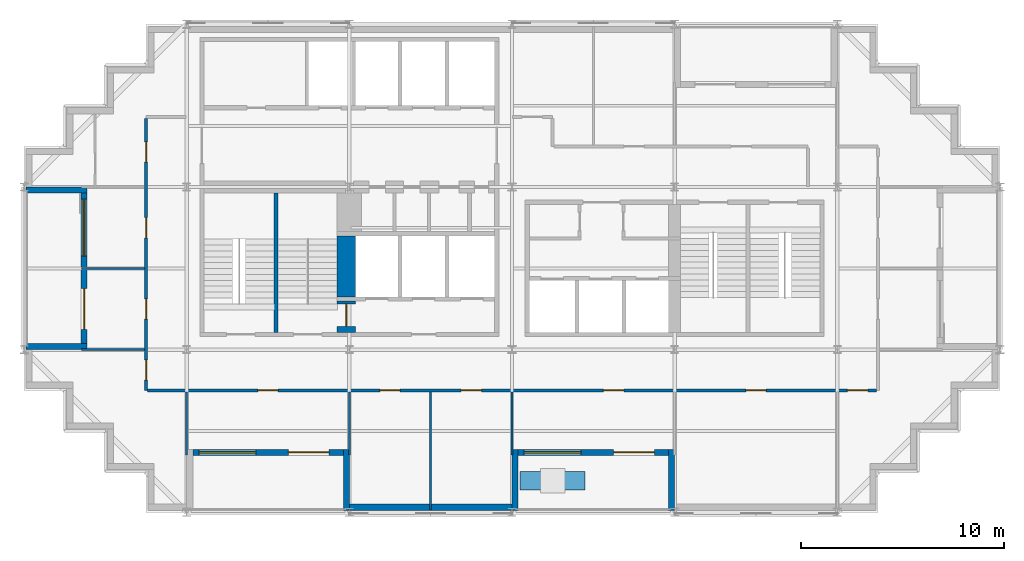
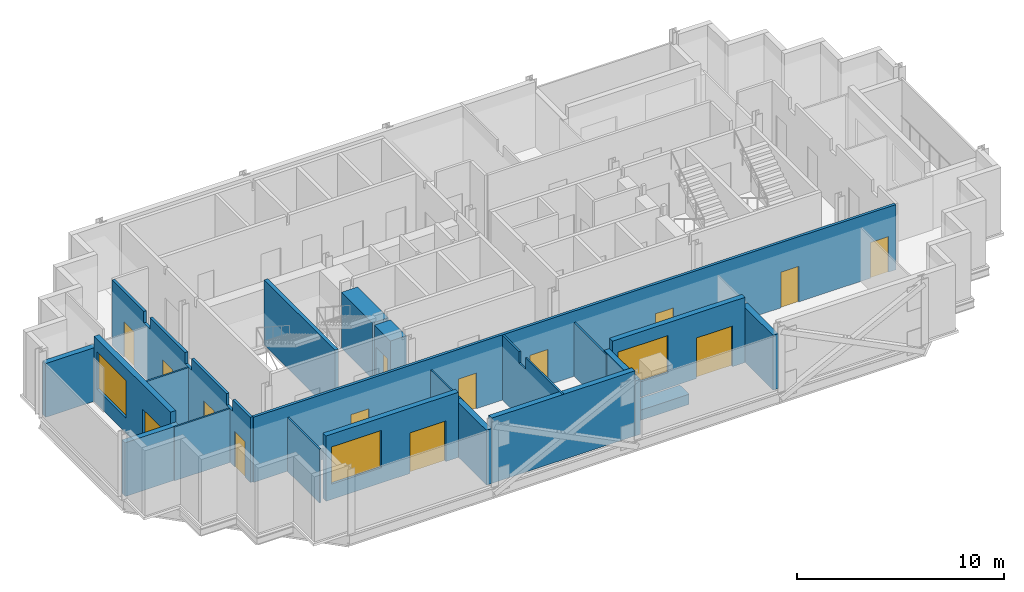
# One storey, part 4 of 10: 21 walls, 14 doors, 3 windows, 17 openings.
"""IFC4 building model written with IfcOpenShell, lengths in metres."""

import ifcopenshell
import ifcopenshell.guid

model = None  # the IFC model being written
_history = None  # IfcOwnerHistory: only IFC2X3 demands one
_inside = {}  # id of a spatial element -> (the spatial element, [elements in it])
_under = {}  # id of a project, library or spatial element -> (it, [spatial elements below it])
_declared = {}  # id of a project -> (the project, [libraries it declares])
_typed = {}  # id of a type object -> (the type object, [elements of that type])
_made_of = {}  # id of a material, layer set ... -> (it, [elements and type objects made of it])


def new_model(schema):
    """Start an empty IFC model of exactly this schema.

    Asked for "IFC4X3", IfcOpenShell would pick the latest addendum, in which some entities
    have other attributes; the version numbers below select the first issue.
    IFC2X3 requires an IfcOwnerHistory on every rooted entity: one is made here for all.
    """
    global model, _history
    if schema == "IFC4X3":
        model = ifcopenshell.file(schema_version=(4, 3, 0, 0))
    else:
        model = ifcopenshell.file(schema=schema)
    _inside.clear()
    _under.clear()
    _declared.clear()
    _typed.clear()
    _made_of.clear()
    _history = None
    if model.schema == "IFC2X3":
        org = make("IfcOrganization", Name="unknown")
        user = make(
            "IfcPersonAndOrganization",
            ThePerson=make("IfcPerson", FamilyName="unknown"),
            TheOrganization=org,
        )
        app = make(
            "IfcApplication",
            ApplicationDeveloper=org,
            Version="unknown",
            ApplicationFullName="unknown",
            ApplicationIdentifier="unknown",
        )
        _history = make(
            "IfcOwnerHistory",
            OwningUser=user,
            OwningApplication=app,
            ChangeAction="ADDED",
            CreationDate=0,
        )
    return model


def make(cls, **values):
    """One entity of the class cls with the attributes given. An attribute that is None is left unset."""
    return model.create_entity(
        cls, **{name: value for name, value in values.items() if value is not None}
    )


def rooted(cls, **values):
    """An entity with a GlobalId (a new one), such as an element, a storey or a relation."""
    return make(cls, GlobalId=ifcopenshell.guid.new(), OwnerHistory=_history, **values)


def si_unit(unit_type, name, prefix=None):
    """IfcSIUnit, for example si_unit("LENGTHUNIT", "METRE", prefix="MILLI")."""
    return make("IfcSIUnit", UnitType=unit_type, Prefix=prefix, Name=name)


def assignment(units):
    """IfcUnitAssignment: the units of a project."""
    return None if units is None else make("IfcUnitAssignment", Units=units)


def point(xyz):
    """IfcCartesianPoint."""
    return None if xyz is None else make("IfcCartesianPoint", Coordinates=xyz)


def direction(xyz):
    """IfcDirection."""
    return None if xyz is None else make("IfcDirection", DirectionRatios=xyz)


def frame(location, z_axis=None, x_axis=None):
    """IfcAxis2Placement3D, a coordinate frame: its origin and axes. An axis left out is left unset."""
    return make(
        "IfcAxis2Placement3D",
        Location=point(location),
        Axis=direction(z_axis),
        RefDirection=direction(x_axis),
    )


def frame_2d(location, x_axis=None):
    """IfcAxis2Placement2D, a coordinate frame in the plane: its origin and x axis."""
    return make(
        "IfcAxis2Placement2D", Location=point(location), RefDirection=direction(x_axis)
    )


def origin():
    """The frame at (0, 0, 0) with its axes left unset."""
    return frame((0.0, 0.0, 0.0))


def place(relative_to, where):
    """IfcLocalPlacement: puts the frame where relative to a parent placement (None: the world)."""
    return make(
        "IfcLocalPlacement", PlacementRelTo=relative_to, RelativePlacement=where
    )


def context(
    kind, dimensions, precision=None, world=None, true_north=None, identifier=None
):
    """IfcGeometricRepresentationContext, for example the 3D "Model" context."""
    return make(
        "IfcGeometricRepresentationContext",
        ContextIdentifier=identifier,
        ContextType=kind,
        CoordinateSpaceDimension=dimensions,
        Precision=precision,
        WorldCoordinateSystem=world,
        TrueNorth=true_north,
    )


def subcontext(parent, identifier, kind, view, scale=None):
    """IfcGeometricRepresentationSubContext, for example "Body" below "Model"."""
    return make(
        "IfcGeometricRepresentationSubContext",
        ContextIdentifier=identifier,
        ContextType=kind,
        ParentContext=parent,
        TargetScale=scale,
        TargetView=view,
    )


def project(units=None, contexts=None):
    """IfcProject with its units and contexts."""
    return rooted(
        "IfcProject",
        Name="project",
        RepresentationContexts=contexts,
        UnitsInContext=assignment(units),
    )


def spatial(cls, under=None, at=None, **own):
    """A site, building, storey or space (cls), placed at a placement, below another one or the project."""
    s = rooted(cls, ObjectPlacement=at, **own)
    if under is not None:
        _under.setdefault(under.id(), (under, []))[1].append(s)
    return s


def polyline(points):
    """IfcPolyline through the points."""
    return make("IfcPolyline", Points=[point(p) for p in points])


def profile(cls, at=None, kind="AREA", **sizes):
    """A parametric profile (cls). Its sizes go by their IFC names, for example OverallWidth=200.0."""
    return make(cls, ProfileType=kind, Position=at, **sizes)


def rectangle(**sizes):
    """IfcRectangleProfileDef."""
    return profile("IfcRectangleProfileDef", **sizes)


def outline(outer, holes=None, kind="AREA"):
    """IfcArbitraryClosedProfileDef: a profile drawn as a closed curve; with holes, ...WithVoids."""
    if holes is None:
        return make("IfcArbitraryClosedProfileDef", ProfileType=kind, OuterCurve=outer)
    return make(
        "IfcArbitraryProfileDefWithVoids",
        ProfileType=kind,
        OuterCurve=outer,
        InnerCurves=holes,
    )


def extrude(swept, where, along, depth):
    """IfcExtrudedAreaSolid: the profile swept, set in the frame where, extruded along a direction by depth."""
    return make(
        "IfcExtrudedAreaSolid",
        SweptArea=swept,
        Position=where,
        ExtrudedDirection=direction(along),
        Depth=depth,
    )


def shape(context_of_items, identifier, shape_type, items):
    """IfcShapeRepresentation: the items that make up one representation, for example the "Body"."""
    return make(
        "IfcShapeRepresentation",
        ContextOfItems=context_of_items,
        RepresentationIdentifier=identifier,
        RepresentationType=shape_type,
        Items=items,
    )


def material(Name=None, Category=None):
    """IfcMaterial."""
    return make("IfcMaterial", Name=Name, Category=Category)


def layer(
    of_material, thickness, ventilated=None, Name=None, Category=None, Priority=None
):
    """IfcMaterialLayer: one layer of a wall or slab, of a material (None: an air gap)."""
    return make(
        "IfcMaterialLayer",
        Material=of_material,
        LayerThickness=thickness,
        IsVentilated=ventilated,
        Name=Name,
        Category=Category,
        Priority=Priority,
    )


def layer_set(layers, Name=None):
    """IfcMaterialLayerSet."""
    return make("IfcMaterialLayerSet", MaterialLayers=layers, LayerSetName=Name)


def made_of(thing, what):
    """Note that an element or type object is made of a material, layer set ...; save() writes the relation."""
    if what is not None:
        _made_of.setdefault(what.id(), (what, []))[1].append(thing)
    return thing


def type_object(cls, material=None, **own):
    """A type object (cls), such as IfcWallType, which elements share."""
    return made_of(rooted(cls, **own), material)


def element(
    cls,
    number,
    at=None,
    inside=None,
    cuts=None,
    type_object=None,
    material=None,
    context=None,
    identifier="Body",
    shape_type=None,
    held_by="IfcProductDefinitionShape",
    body=None,
    shapes=None,
    **own,
):
    """One element of the class cls, such as IfcWall. Its Tag is "e" and its number.

    at: its placement. inside: the storey or other place that contains it. cuts: it is an
    opening in that element (IfcRelVoidsElement). A single representation is given by context,
    identifier, shape_type and body (its items); several are given by shapes. held_by: the class
    of the entity that holds the representations. save() writes the other relations.
    """
    e = rooted(cls, Tag="e%d" % number, ObjectPlacement=at, **own)
    if body is not None:
        shapes = [shape(context, identifier, shape_type, body)]
    if shapes is not None:
        e.Representation = make(held_by, Representations=shapes)
    if inside is not None:
        _inside.setdefault(inside.id(), (inside, []))[1].append(e)
    if cuts is not None:
        rooted(
            "IfcRelVoidsElement", RelatingBuildingElement=cuts, RelatedOpeningElement=e
        )
    if type_object is not None:
        _typed.setdefault(type_object.id(), (type_object, []))[1].append(e)
    return made_of(e, material)


def fill(opening, filler):
    """IfcRelFillsElement: the door or window that sits in an opening."""
    return rooted(
        "IfcRelFillsElement",
        RelatingOpeningElement=opening,
        RelatedBuildingElement=filler,
    )


def aggregate(whole, parts):
    """IfcRelAggregates: a whole, such as a stair, and the parts it consists of."""
    return rooted("IfcRelAggregates", RelatingObject=whole, RelatedObjects=parts)


def save(model, path):
    """Write the relations noted so far, then the file.

    IfcRelAggregates (storeys below a building ...), IfcRelContainedInSpatialStructure (elements
    in a storey), IfcRelDefinesByType, IfcRelAssociatesMaterial and IfcRelDeclares: one each for
    every whole, place, type object, material and project.
    """
    for whole, parts in _under.values():
        aggregate(whole, parts)
    for where, things in _inside.values():
        rooted(
            "IfcRelContainedInSpatialStructure",
            RelatedElements=things,
            RelatingStructure=where,
        )
    for kind, things in _typed.values():
        rooted("IfcRelDefinesByType", RelatedObjects=things, RelatingType=kind)
    for what, things in _made_of.values():
        rooted("IfcRelAssociatesMaterial", RelatedObjects=things, RelatingMaterial=what)
    for by, libraries in _declared.values():
        rooted("IfcRelDeclares", RelatingContext=by, RelatedDefinitions=libraries)
    model.write(path)


model = new_model("IFC4")

# Units and contexts
model_context = context("Model", 3, precision=1e-05, world=origin(), true_north=direction((0.0, 1.0)))
body_context = subcontext(model_context, "Body", "Model", "MODEL_VIEW")
ifc_project = project(units=[si_unit("LENGTHUNIT", "METRE"), si_unit("AREAUNIT", "SQUARE_METRE"), si_unit("VOLUMEUNIT", "CUBIC_METRE"), si_unit("PLANEANGLEUNIT", "RADIAN"), si_unit("MASSUNIT", "GRAM", prefix="KILO")], contexts=[model_context])

# Site, building, storey
site_placement = place(None, origin())
site = spatial("IfcSite", under=ifc_project, at=site_placement, CompositionType="ELEMENT")
building_placement = place(site_placement, origin())
building = spatial("IfcBuilding", under=site, at=building_placement, Name="Immortelle Media Tower", CompositionType="ELEMENT")
storey_placement = place(building_placement, frame((0.0, 0.0, 221.0)))
storey = spatial("IfcBuildingStorey", under=building, at=storey_placement, Name="L47", CompositionType="ELEMENT", Elevation=221.0)

# Wall, openings, doors
ifc_material_1 = material(Name="Fire-rated gypsum board", Category="gypsum")
ifc_layer_1 = layer(ifc_material_1, 0.012451171875)
ifc_material_2 = material(Name="Steel ASTM A653 SS Gr 50 stud frame with mineral wool", Category="steel")
ifc_layer_2 = layer(ifc_material_2, 0.125)
ifc_layer_3 = layer(ifc_material_1, 0.012451171875)
ifc_layer_set_1 = layer_set([ifc_layer_1, ifc_layer_2, ifc_layer_3], Name="Steel ASTM A653 SS Gr 50 stud frame with mineral wool")
wall_type_1 = type_object("IfcWallType", Name="Corridor wall 150", PredefinedType="PARTITIONING", material=ifc_layer_set_1)
wall_1_placement = place(storey_placement, frame((6.074951171875, 6.0, 0.0), z_axis=(0.0, 0.0, 1.0), x_axis=(1.0, 0.0, 0.0)))
wall_1 = element("IfcWall", 1, at=wall_1_placement, inside=storey, type_object=wall_type_1, Name="Partition L47-007", PredefinedType="PARTITIONING", context=body_context, shape_type="SweptSolid", body=[
    extrude(rectangle(XDim=35.85009765625, YDim=0.14990234375, at=frame_2d((17.925048828125, 0.0))), origin(), (0.0, 0.0, 1.0), 3.85009765625),
])
opening_1_placement = place(wall_1_placement, frame((12.425048828125, 0.0, 0.0), z_axis=(0.0, 0.0, 1.0), x_axis=(-1.0, 0.0, 0.0)))
opening_1 = element("IfcOpeningElement", 2, at=opening_1_placement, cuts=wall_1, Name="Opening O4-F001", PredefinedType="OPENING", context=body_context, shape_type="SweptSolid", body=[
    extrude(rectangle(XDim=1.0, YDim=2.10009765625, at=frame_2d((0.5, 1.050048828125))), frame((0.0, 0.0849609375, 0.0), z_axis=(0.0, -1.0, 0.0), x_axis=(1.0, 0.0, 0.0)), (0.0, 0.0, 1.0), 0.169921875),
])
opening_2_placement = place(wall_1_placement, frame((16.425048828125, 0.0, 0.0), z_axis=(0.0, 0.0, 1.0), x_axis=(-1.0, 0.0, 0.0)))
opening_2 = element("IfcOpeningElement", 3, at=opening_2_placement, cuts=wall_1, Name="Opening O4-F002", PredefinedType="OPENING", context=body_context, shape_type="SweptSolid", body=[
    extrude(rectangle(XDim=1.0, YDim=2.10009765625, at=frame_2d((0.5, 1.050048828125))), frame((0.0, 0.0849609375, 0.0), z_axis=(0.0, -1.0, 0.0), x_axis=(1.0, 0.0, 0.0)), (0.0, 0.0, 1.0), 0.169921875),
])
opening_3_placement = place(wall_1_placement, frame((30.425048828125, 0.0, 0.0), z_axis=(0.0, 0.0, 1.0), x_axis=(-1.0, 0.0, 0.0)))
opening_3 = element("IfcOpeningElement", 4, at=opening_3_placement, cuts=wall_1, Name="Opening O4-F003", PredefinedType="OPENING", context=body_context, shape_type="SweptSolid", body=[
    extrude(rectangle(XDim=1.0, YDim=2.10009765625, at=frame_2d((0.5, 1.050048828125))), frame((0.0, 0.0849609375, 0.0), z_axis=(0.0, -1.0, 0.0), x_axis=(1.0, 0.0, 0.0)), (0.0, 0.0, 1.0), 0.169921875),
])
opening_4_placement = place(wall_1_placement, frame((6.425048828125, 0.0, 0.0), z_axis=(0.0, 0.0, 1.0), x_axis=(-1.0, 0.0, 0.0)))
opening_4 = element("IfcOpeningElement", 5, at=opening_4_placement, cuts=wall_1, Name="Opening O4-F004", PredefinedType="OPENING", context=body_context, shape_type="SweptSolid", body=[
    extrude(rectangle(XDim=1.0, YDim=2.10009765625, at=frame_2d((0.5, 1.050048828125))), frame((0.0, 0.0849609375, 0.0), z_axis=(0.0, -1.0, 0.0), x_axis=(1.0, 0.0, 0.0)), (0.0, 0.0, 1.0), 0.169921875),
])
opening_5_placement = place(wall_1_placement, frame((23.425048828125, 0.0, 0.0), z_axis=(0.0, 0.0, 1.0), x_axis=(-1.0, 0.0, 0.0)))
opening_5 = element("IfcOpeningElement", 6, at=opening_5_placement, cuts=wall_1, Name="Opening O4-F005", PredefinedType="OPENING", context=body_context, shape_type="SweptSolid", body=[
    extrude(rectangle(XDim=1.0, YDim=2.10009765625, at=frame_2d((0.5, 1.050048828125))), frame((0.0, 0.0849609375, 0.0), z_axis=(0.0, -1.0, 0.0), x_axis=(1.0, 0.0, 0.0)), (0.0, 0.0, 1.0), 0.169921875),
])
opening_6_placement = place(wall_1_placement, frame((35.425048828125, 0.0, 0.0), z_axis=(0.0, 0.0, 1.0), x_axis=(-1.0, 0.0, 0.0)))
opening_6 = element("IfcOpeningElement", 7, at=opening_6_placement, cuts=wall_1, Name="Opening O4-F007", PredefinedType="OPENING", context=body_context, shape_type="SweptSolid", body=[
    extrude(rectangle(XDim=1.0, YDim=2.10009765625, at=frame_2d((0.5, 1.050048828125))), frame((0.0, 0.0849609375, 0.0), z_axis=(0.0, -1.0, 0.0), x_axis=(1.0, 0.0, 0.0)), (0.0, 0.0, 1.0), 0.169921875),
])
ifc_material_3 = material(Name="Timber veneered door leaf, galvanised steel frame ASTM A653", Category="steel")
door_type_1 = type_object("IfcDoorType", Name="Room door 1000 x 2100", OperationType="NOTDEFINED", PredefinedType="DOOR", material=ifc_material_3)
door_1_placement = place(opening_1_placement, origin())
door_1 = element("IfcDoor", 8, at=door_1_placement, inside=storey, type_object=door_type_1, Name="Door O4-F001", OperationType="SINGLE_SWING_LEFT", OverallHeight=2.10009765625, OverallWidth=1.0, PredefinedType="DOOR", context=body_context, shape_type="SweptSolid", body=[
    extrude(rectangle(XDim=1.0, YDim=2.10009765625, at=frame_2d((0.5, 1.050048828125))), frame((0.0, 0.02490234375, 0.0), z_axis=(0.0, -1.0, 0.0), x_axis=(1.0, 0.0, 0.0)), (0.0, 0.0, 1.0), 0.050048828125),
])
fill(opening_1, door_1)
door_2_placement = place(opening_2_placement, origin())
door_2 = element("IfcDoor", 9, at=door_2_placement, inside=storey, type_object=door_type_1, Name="Door O4-F002", OperationType="SINGLE_SWING_LEFT", OverallHeight=2.10009765625, OverallWidth=1.0, PredefinedType="DOOR", context=body_context, shape_type="SweptSolid", body=[
    extrude(rectangle(XDim=1.0, YDim=2.10009765625, at=frame_2d((0.5, 1.050048828125))), frame((0.0, 0.02490234375, 0.0), z_axis=(0.0, -1.0, 0.0), x_axis=(1.0, 0.0, 0.0)), (0.0, 0.0, 1.0), 0.050048828125),
])
fill(opening_2, door_2)
door_3_placement = place(opening_3_placement, origin())
door_3 = element("IfcDoor", 10, at=door_3_placement, inside=storey, type_object=door_type_1, Name="Door O4-F003", OperationType="SINGLE_SWING_LEFT", OverallHeight=2.10009765625, OverallWidth=1.0, PredefinedType="DOOR", context=body_context, shape_type="SweptSolid", body=[
    extrude(rectangle(XDim=1.0, YDim=2.10009765625, at=frame_2d((0.5, 1.050048828125))), frame((0.0, 0.02490234375, 0.0), z_axis=(0.0, -1.0, 0.0), x_axis=(1.0, 0.0, 0.0)), (0.0, 0.0, 1.0), 0.050048828125),
])
fill(opening_3, door_3)
door_4_placement = place(opening_4_placement, origin())
door_4 = element("IfcDoor", 11, at=door_4_placement, inside=storey, type_object=door_type_1, Name="Door O4-F004", OperationType="SINGLE_SWING_LEFT", OverallHeight=2.10009765625, OverallWidth=1.0, PredefinedType="DOOR", context=body_context, shape_type="SweptSolid", body=[
    extrude(rectangle(XDim=1.0, YDim=2.10009765625, at=frame_2d((0.5, 1.050048828125))), frame((0.0, 0.02490234375, 0.0), z_axis=(0.0, -1.0, 0.0), x_axis=(1.0, 0.0, 0.0)), (0.0, 0.0, 1.0), 0.050048828125),
])
fill(opening_4, door_4)
door_5_placement = place(opening_5_placement, origin())
door_5 = element("IfcDoor", 12, at=door_5_placement, inside=storey, type_object=door_type_1, Name="Door O4-F005", OperationType="SINGLE_SWING_LEFT", OverallHeight=2.10009765625, OverallWidth=1.0, PredefinedType="DOOR", context=body_context, shape_type="SweptSolid", body=[
    extrude(rectangle(XDim=1.0, YDim=2.10009765625, at=frame_2d((0.5, 1.050048828125))), frame((0.0, 0.02490234375, 0.0), z_axis=(0.0, -1.0, 0.0), x_axis=(1.0, 0.0, 0.0)), (0.0, 0.0, 1.0), 0.050048828125),
])
fill(opening_5, door_5)
door_6_placement = place(opening_6_placement, origin())
door_6 = element("IfcDoor", 13, at=door_6_placement, inside=storey, type_object=door_type_1, Name="Door O4-F007", OperationType="SINGLE_SWING_RIGHT", OverallHeight=2.10009765625, OverallWidth=1.0, PredefinedType="DOOR", context=body_context, shape_type="SweptSolid", body=[
    extrude(rectangle(XDim=1.0, YDim=2.10009765625, at=frame_2d((0.5, 1.050048828125))), frame((0.0, 0.02490234375, 0.0), z_axis=(0.0, -1.0, 0.0), x_axis=(1.0, 0.0, 0.0)), (0.0, 0.0, 1.0), 0.050048828125),
])
fill(opening_6, door_6)

wall_2_placement = place(storey_placement, frame((6.0, 6.0, 0.0), z_axis=(0.0, 0.0, 1.0), x_axis=(0.0, 1.0, 0.0)))
wall_2 = element("IfcWall", 14, at=wall_2_placement, inside=storey, type_object=wall_type_1, Name="Partition L47-008", PredefinedType="PARTITIONING", context=body_context, shape_type="SweptSolid", body=[
    extrude(outline(polyline([(0.0, 0.0), (13.375, 0.0), (13.375, 3.85009765625), (10.300048828125, 3.85009765625), (10.298095703125, 3.172119140625), (9.701904296875, 3.172119140625), (9.699951171875, 3.85009765625), (6.300048828125, 3.85009765625), (6.298095703125, 3.172119140625), (5.701904296875, 3.172119140625), (5.699951171875, 3.85009765625), (2.300048828125, 3.85009765625), (2.298095703125, 3.172119140625), (1.701904296875, 3.172119140625), (1.699951171875, 3.85009765625), (0.0, 3.85009765625), (0.0, 0.0)])), frame((0.0, 0.074951171875, 0.0), z_axis=(0.0, -1.0, 0.0), x_axis=(1.0, 0.0, 0.0)), (0.0, 0.0, 1.0), 0.14990234375),
])
opening_7_placement = place(wall_2_placement, frame((0.5, 0.0, 0.0)))
opening_7 = element("IfcOpeningElement", 15, at=opening_7_placement, cuts=wall_2, Name="Opening O4-F006", PredefinedType="OPENING", context=body_context, shape_type="SweptSolid", body=[
    extrude(rectangle(XDim=1.0, YDim=2.10009765625, at=frame_2d((0.5, 1.050048828125))), frame((0.0, 0.0849609375, 0.0), z_axis=(0.0, -1.0, 0.0), x_axis=(1.0, 0.0, 0.0)), (0.0, 0.0, 1.0), 0.169921875),
])
opening_8_placement = place(wall_2_placement, frame((3.5, 0.0, 0.0)))
opening_8 = element("IfcOpeningElement", 16, at=opening_8_placement, cuts=wall_2, Name="Opening O4-F008", PredefinedType="OPENING", context=body_context, shape_type="SweptSolid", body=[
    extrude(rectangle(XDim=1.0, YDim=2.10009765625, at=frame_2d((0.5, 1.050048828125))), frame((0.0, 0.0849609375, 0.0), z_axis=(0.0, -1.0, 0.0), x_axis=(1.0, 0.0, 0.0)), (0.0, 0.0, 1.0), 0.169921875),
])
opening_9_placement = place(wall_2_placement, frame((7.5, 0.0, 0.0)))
opening_9 = element("IfcOpeningElement", 17, at=opening_9_placement, cuts=wall_2, Name="Opening O4-F009", PredefinedType="OPENING", context=body_context, shape_type="SweptSolid", body=[
    extrude(rectangle(XDim=1.0, YDim=2.10009765625, at=frame_2d((0.5, 1.050048828125))), frame((0.0, 0.0849609375, 0.0), z_axis=(0.0, -1.0, 0.0), x_axis=(1.0, 0.0, 0.0)), (0.0, 0.0, 1.0), 0.169921875),
])
opening_10_placement = place(wall_2_placement, frame((11.22509765625, 0.0, 0.0)))
opening_10 = element("IfcOpeningElement", 18, at=opening_10_placement, cuts=wall_2, Name="Opening O4-F012", PredefinedType="OPENING", context=body_context, shape_type="SweptSolid", body=[
    extrude(rectangle(XDim=1.0, YDim=2.10009765625, at=frame_2d((0.5, 1.050048828125))), frame((0.0, 0.0849609375, 0.0), z_axis=(0.0, -1.0, 0.0), x_axis=(1.0, 0.0, 0.0)), (0.0, 0.0, 1.0), 0.169921875),
])
door_7_placement = place(opening_7_placement, origin())
door_7 = element("IfcDoor", 19, at=door_7_placement, inside=storey, type_object=door_type_1, Name="Door O4-F006", OperationType="SINGLE_SWING_RIGHT", OverallHeight=2.10009765625, OverallWidth=1.0, PredefinedType="DOOR", context=body_context, shape_type="SweptSolid", body=[
    extrude(rectangle(XDim=1.0, YDim=2.10009765625, at=frame_2d((0.5, 1.050048828125))), frame((0.0, 0.02490234375, 0.0), z_axis=(0.0, -1.0, 0.0), x_axis=(1.0, 0.0, 0.0)), (0.0, 0.0, 1.0), 0.050048828125),
])
fill(opening_7, door_7)
door_8_placement = place(opening_8_placement, origin())
door_8 = element("IfcDoor", 20, at=door_8_placement, inside=storey, type_object=door_type_1, Name="Door O4-F008", OperationType="SINGLE_SWING_RIGHT", OverallHeight=2.10009765625, OverallWidth=1.0, PredefinedType="DOOR", context=body_context, shape_type="SweptSolid", body=[
    extrude(rectangle(XDim=1.0, YDim=2.10009765625, at=frame_2d((0.5, 1.050048828125))), frame((0.0, 0.02490234375, 0.0), z_axis=(0.0, -1.0, 0.0), x_axis=(1.0, 0.0, 0.0)), (0.0, 0.0, 1.0), 0.050048828125),
])
fill(opening_8, door_8)
door_9_placement = place(opening_9_placement, origin())
door_9 = element("IfcDoor", 21, at=door_9_placement, inside=storey, type_object=door_type_1, Name="Door O4-F009", OperationType="SINGLE_SWING_RIGHT", OverallHeight=2.10009765625, OverallWidth=1.0, PredefinedType="DOOR", context=body_context, shape_type="SweptSolid", body=[
    extrude(rectangle(XDim=1.0, YDim=2.10009765625, at=frame_2d((0.5, 1.050048828125))), frame((0.0, 0.02490234375, 0.0), z_axis=(0.0, -1.0, 0.0), x_axis=(1.0, 0.0, 0.0)), (0.0, 0.0, 1.0), 0.050048828125),
])
fill(opening_9, door_9)
door_10_placement = place(opening_10_placement, origin())
door_10 = element("IfcDoor", 22, at=door_10_placement, inside=storey, type_object=door_type_1, Name="Door O4-F012", OperationType="SINGLE_SWING_LEFT", OverallHeight=2.10009765625, OverallWidth=1.0, PredefinedType="DOOR", context=body_context, shape_type="SweptSolid", body=[
    extrude(rectangle(XDim=1.0, YDim=2.10009765625, at=frame_2d((0.5, 1.050048828125))), frame((0.0, 0.02490234375, 0.0), z_axis=(0.0, -1.0, 0.0), x_axis=(1.0, 0.0, 0.0)), (0.0, 0.0, 1.0), 0.050048828125),
])
fill(opening_10, door_10)

# Wall, openings, door, window
ifc_material_4 = material(Name="Pale aluminium cladding panel", Category="aluminium")
ifc_layer_4 = layer(ifc_material_4, 0.030029296875)
ifc_layer_5 = layer(ifc_material_2, 0.257568359375)
ifc_material_5 = material(Name="Moisture-resistant gypsum board", Category="gypsum")
ifc_layer_6 = layer(ifc_material_5, 0.012451171875)
ifc_layer_set_2 = layer_set([ifc_layer_4, ifc_layer_5, ifc_layer_6], Name="Steel ASTM A653 SS Gr 50 stud frame with mineral wool")
wall_type_2 = type_object("IfcWallType", Name="Facade wall 300", PredefinedType="SOLIDWALL", material=ifc_layer_set_2)
wall_3_placement = place(storey_placement, frame((8.300048828125, 2.949951171875, 0.0), z_axis=(0.0, 0.0, 1.0), x_axis=(1.0, 0.0, 0.0)))
wall_3 = element("IfcWall", 23, at=wall_3_placement, inside=storey, type_object=wall_type_2, Name="Loggia wall L47 S6", PredefinedType="SOLIDWALL", context=body_context, shape_type="SweptSolid", body=[
    extrude(rectangle(XDim=7.39990234375, YDim=0.300048828125, at=frame_2d((3.699951171875, 0.0))), origin(), (0.0, 0.0, 1.0), 3.85009765625),
])
opening_11_placement = place(wall_3_placement, frame((0.300048828125, 0.0, 0.89990234375)))
opening_11 = element("IfcOpeningElement", 24, at=opening_11_placement, cuts=wall_3, Name="Opening W1", PredefinedType="OPENING", context=body_context, shape_type="SweptSolid", body=[
    extrude(rectangle(XDim=2.800048828125, YDim=2.199951171875, at=frame_2d((1.39990234375, 1.10009765625))), frame((0.0, 0.159912109375, 0.0), z_axis=(0.0, -1.0, 0.0), x_axis=(1.0, 0.0, 0.0)), (0.0, 0.0, 1.0), 0.320068359375),
])
opening_12_placement = place(wall_3_placement, frame((4.699951171875, 0.0, 0.0)))
opening_12 = element("IfcOpeningElement", 25, at=opening_12_placement, cuts=wall_3, Name="Opening O4-E001", PredefinedType="OPENING", context=body_context, shape_type="SweptSolid", body=[
    extrude(rectangle(XDim=2.0, YDim=2.39990234375, at=frame_2d((1.0, 1.199951171875))), frame((0.0, 0.159912109375, 0.0), z_axis=(0.0, -1.0, 0.0), x_axis=(1.0, 0.0, 0.0)), (0.0, 0.0, 1.0), 0.320068359375),
])
ifc_material_6 = material(Name="Aluminium frame, glazed leaves", Category="aluminium")
door_type_2 = type_object("IfcDoorType", Name="Loggia door 2000 x 2400", OperationType="DOUBLE_DOOR_SINGLE_SWING", PredefinedType="DOOR", material=ifc_material_6)
door_11_placement = place(opening_12_placement, origin())
door_11 = element("IfcDoor", 26, at=door_11_placement, inside=storey, type_object=door_type_2, Name="Door O4-E001", OperationType="DOUBLE_DOOR_SINGLE_SWING", OverallHeight=2.39990234375, OverallWidth=2.0, PredefinedType="DOOR", context=body_context, shape_type="SweptSolid", body=[
    extrude(rectangle(XDim=2.0, YDim=2.39990234375, at=frame_2d((1.0, 1.199951171875))), frame((0.0, 0.02490234375, 0.0), z_axis=(0.0, -1.0, 0.0), x_axis=(1.0, 0.0, 0.0)), (0.0, 0.0, 1.0), 0.050048828125),
])
fill(opening_12, door_11)
ifc_material_7 = material(Name="Aluminium frame", Category="aluminium")
window_type = type_object("IfcWindowType", Name="Window 2800 x 2200", PartitioningType="SINGLE_PANEL", PredefinedType="WINDOW", material=ifc_material_7)
window_1_placement = place(opening_11_placement, origin())
window_1 = element("IfcWindow", 27, at=window_1_placement, inside=storey, type_object=window_type, Name="Window L47 L47-R6-B0", OverallHeight=2.199951171875, OverallWidth=2.800048828125, PartitioningType="SINGLE_PANEL", PredefinedType="WINDOW", context=body_context, shape_type="SweptSolid", body=[
    extrude(rectangle(XDim=2.800048828125, YDim=2.199951171875, at=frame_2d((1.39990234375, 1.10009765625))), frame((0.0, 0.030029296875, 0.0), z_axis=(0.0, -1.0, 0.0), x_axis=(1.0, 0.0, 0.0)), (0.0, 0.0, 1.0), 0.06005859375),
])
fill(opening_11, window_1)

# Walls
wall_4_placement = place(storey_placement, frame((15.85009765625, 0.10009765625, 0.0), z_axis=(0.0, 0.0, 1.0), x_axis=(0.0, 1.0, 0.0)))
element("IfcWall", 28, at=wall_4_placement, inside=storey, type_object=wall_type_2, Name="Loggia cheek wall L47 S", PredefinedType="SOLIDWALL", context=body_context, shape_type="SweptSolid", body=[
    extrude(rectangle(XDim=3.0, YDim=0.300048828125, at=frame_2d((1.5, 0.0))), origin(), (0.0, 0.0, 1.0), 3.237060546875),
])
wall_5_placement = place(storey_placement, frame((16.0, 0.25, 0.0), z_axis=(0.0, 0.0, 1.0), x_axis=(1.0, 0.0, 0.0)))
element("IfcWall", 29, at=wall_5_placement, inside=storey, type_object=wall_type_2, Name="Facade wall L47 S6", PredefinedType="SOLIDWALL", context=body_context, shape_type="SweptSolid", body=[
    extrude(rectangle(XDim=8.0, YDim=0.300048828125, at=frame_2d((4.0, 0.0))), origin(), (0.0, 0.0, 1.0), 3.85009765625),
])

# Wall, openings, door, window
wall_6_placement = place(storey_placement, frame((24.300048828125, 2.949951171875, 0.0), z_axis=(0.0, 0.0, 1.0), x_axis=(1.0, 0.0, 0.0)))
wall_6 = element("IfcWall", 30, at=wall_6_placement, inside=storey, type_object=wall_type_2, Name="Loggia wall L47 S6", PredefinedType="SOLIDWALL", context=body_context, shape_type="SweptSolid", body=[
    extrude(rectangle(XDim=7.39990234375, YDim=0.300048828125, at=frame_2d((3.699951171875, 0.0))), origin(), (0.0, 0.0, 1.0), 3.85009765625),
])
opening_13_placement = place(wall_6_placement, frame((0.300048828125, 0.0, 0.89990234375)))
opening_13 = element("IfcOpeningElement", 31, at=opening_13_placement, cuts=wall_6, Name="Opening W1", PredefinedType="OPENING", context=body_context, shape_type="SweptSolid", body=[
    extrude(rectangle(XDim=2.800048828125, YDim=2.199951171875, at=frame_2d((1.39990234375, 1.10009765625))), frame((0.0, 0.159912109375, 0.0), z_axis=(0.0, -1.0, 0.0), x_axis=(1.0, 0.0, 0.0)), (0.0, 0.0, 1.0), 0.320068359375),
])
opening_14_placement = place(wall_6_placement, frame((4.699951171875, 0.0, 0.0)))
opening_14 = element("IfcOpeningElement", 32, at=opening_14_placement, cuts=wall_6, Name="Opening O4-E002", PredefinedType="OPENING", context=body_context, shape_type="SweptSolid", body=[
    extrude(rectangle(XDim=2.0, YDim=2.39990234375, at=frame_2d((1.0, 1.199951171875))), frame((0.0, 0.159912109375, 0.0), z_axis=(0.0, -1.0, 0.0), x_axis=(1.0, 0.0, 0.0)), (0.0, 0.0, 1.0), 0.320068359375),
])
door_12_placement = place(opening_14_placement, origin())
door_12 = element("IfcDoor", 33, at=door_12_placement, inside=storey, type_object=door_type_2, Name="Door O4-E002", OperationType="DOUBLE_DOOR_SINGLE_SWING", OverallHeight=2.39990234375, OverallWidth=2.0, PredefinedType="DOOR", context=body_context, shape_type="SweptSolid", body=[
    extrude(rectangle(XDim=2.0, YDim=2.39990234375, at=frame_2d((1.0, 1.199951171875))), frame((0.0, 0.02490234375, 0.0), z_axis=(0.0, -1.0, 0.0), x_axis=(1.0, 0.0, 0.0)), (0.0, 0.0, 1.0), 0.050048828125),
])
fill(opening_14, door_12)
window_2_placement = place(opening_13_placement, origin())
window_2 = element("IfcWindow", 34, at=window_2_placement, inside=storey, type_object=window_type, Name="Window L47 L47-R6-B2", OverallHeight=2.199951171875, OverallWidth=2.800048828125, PartitioningType="SINGLE_PANEL", PredefinedType="WINDOW", context=body_context, shape_type="SweptSolid", body=[
    extrude(rectangle(XDim=2.800048828125, YDim=2.199951171875, at=frame_2d((1.39990234375, 1.10009765625))), frame((0.0, 0.030029296875, 0.0), z_axis=(0.0, -1.0, 0.0), x_axis=(1.0, 0.0, 0.0)), (0.0, 0.0, 1.0), 0.06005859375),
])
fill(opening_13, window_2)

# Walls
for number, where, z_axis, x_axis, name in (
    (35, (24.14990234375, 0.10009765625, 0.0), (0.0, 0.0, 1.0), (0.0, 1.0, 0.0), "Loggia cheek wall L47 S"),
    (36, (31.85009765625, 0.10009765625, 0.0), (0.0, 0.0, 1.0), (0.0, 1.0, 0.0), "Loggia cheek wall L47 S"),
):
    element("IfcWall", number, at=place(storey_placement, frame(where, z_axis=z_axis, x_axis=x_axis)), inside=storey, type_object=wall_type_2, Name=name, PredefinedType="SOLIDWALL", context=body_context, shape_type="SweptSolid", body=[
        extrude(rectangle(XDim=3.0, YDim=0.300048828125, at=frame_2d((1.5, 0.0))), origin(), (0.0, 0.0, 1.0), 3.237060546875),
    ])

# Wall, openings, door, window
wall_7_placement = place(storey_placement, frame((2.949951171875, 15.699951171875, 0.0), z_axis=(0.0, 0.0, 1.0), x_axis=(0.0, -1.0, 0.0)))
wall_7 = element("IfcWall", 37, at=wall_7_placement, inside=storey, type_object=wall_type_2, Name="Loggia wall L47 W27", PredefinedType="SOLIDWALL", context=body_context, shape_type="SweptSolid", body=[
    extrude(rectangle(XDim=7.39990234375, YDim=0.300048828125, at=frame_2d((3.699951171875, 0.0))), origin(), (0.0, 0.0, 1.0), 3.85009765625),
])
opening_15_placement = place(wall_7_placement, frame((0.300048828125, 0.0, 0.89990234375)))
opening_15 = element("IfcOpeningElement", 38, at=opening_15_placement, cuts=wall_7, Name="Opening W1", PredefinedType="OPENING", context=body_context, shape_type="SweptSolid", body=[
    extrude(rectangle(XDim=2.800048828125, YDim=2.199951171875, at=frame_2d((1.39990234375, 1.10009765625))), frame((0.0, 0.159912109375, 0.0), z_axis=(0.0, -1.0, 0.0), x_axis=(1.0, 0.0, 0.0)), (0.0, 0.0, 1.0), 0.320068359375),
])
opening_16_placement = place(wall_7_placement, frame((4.699951171875, 0.0, 0.0)))
opening_16 = element("IfcOpeningElement", 39, at=opening_16_placement, cuts=wall_7, Name="Opening O4-E006", PredefinedType="OPENING", context=body_context, shape_type="SweptSolid", body=[
    extrude(rectangle(XDim=2.0, YDim=2.39990234375, at=frame_2d((1.0, 1.199951171875))), frame((0.0, 0.159912109375, 0.0), z_axis=(0.0, -1.0, 0.0), x_axis=(1.0, 0.0, 0.0)), (0.0, 0.0, 1.0), 0.320068359375),
])
door_13_placement = place(opening_16_placement, origin())
door_13 = element("IfcDoor", 40, at=door_13_placement, inside=storey, type_object=door_type_2, Name="Door O4-E006", OperationType="DOUBLE_DOOR_SINGLE_SWING", OverallHeight=2.39990234375, OverallWidth=2.0, PredefinedType="DOOR", context=body_context, shape_type="SweptSolid", body=[
    extrude(rectangle(XDim=2.0, YDim=2.39990234375, at=frame_2d((1.0, 1.199951171875))), frame((0.0, 0.02490234375, 0.0), z_axis=(0.0, -1.0, 0.0), x_axis=(1.0, 0.0, 0.0)), (0.0, 0.0, 1.0), 0.050048828125),
])
fill(opening_16, door_13)
window_3_placement = place(opening_15_placement, origin())
window_3 = element("IfcWindow", 41, at=window_3_placement, inside=storey, type_object=window_type, Name="Window L47 L47-R27-B0", OverallHeight=2.199951171875, OverallWidth=2.800048828125, PartitioningType="SINGLE_PANEL", PredefinedType="WINDOW", context=body_context, shape_type="SweptSolid", body=[
    extrude(rectangle(XDim=2.800048828125, YDim=2.199951171875, at=frame_2d((1.39990234375, 1.10009765625))), frame((0.0, 0.030029296875, 0.0), z_axis=(0.0, -1.0, 0.0), x_axis=(1.0, 0.0, 0.0)), (0.0, 0.0, 1.0), 0.06005859375),
])
fill(opening_15, window_3)

# Walls
for number, where, z_axis, x_axis, name in (
    (42, (0.10009765625, 15.85009765625, 0.0), (0.0, 0.0, 1.0), (1.0, 0.0, 0.0), "Loggia cheek wall L47 W"),
    (43, (0.10009765625, 8.14990234375, 0.0), (0.0, 0.0, 1.0), (1.0, 0.0, 0.0), "Loggia cheek wall L47 W"),
):
    element("IfcWall", number, at=place(storey_placement, frame(where, z_axis=z_axis, x_axis=x_axis)), inside=storey, type_object=wall_type_2, Name=name, PredefinedType="SOLIDWALL", context=body_context, shape_type="SweptSolid", body=[
        extrude(rectangle(XDim=3.0, YDim=0.300048828125, at=frame_2d((1.5, 0.0))), origin(), (0.0, 0.0, 1.0), 3.1708984375),
    ])
ifc_material_8 = material(Name="Gypsum board", Category="gypsum")
ifc_layer_7 = layer(ifc_material_8, 0.012451171875)
ifc_layer_8 = layer(ifc_material_2, 0.074951171875)
ifc_layer_9 = layer(ifc_material_8, 0.012451171875)
ifc_layer_set_3 = layer_set([ifc_layer_7, ifc_layer_8, ifc_layer_9], Name="Steel ASTM A653 SS Gr 50 stud frame with mineral wool")
wall_type_3 = type_object("IfcWallType", Name="Partition 100", PredefinedType="PARTITIONING", material=ifc_layer_set_3)
wall_8_placement = place(storey_placement, frame((20.0, 0.1298828125, 0.0), z_axis=(0.0, 0.0, 1.0), x_axis=(0.0, 1.0, 0.0)))
element("IfcWall", 44, at=wall_8_placement, inside=storey, type_object=wall_type_3, Name="Partition L47-001", PredefinedType="PARTITIONING", context=body_context, shape_type="SweptSolid", body=[
    extrude(outline(polyline([(0.0, 0.0), (5.795166015625, 0.0), (5.794921875, 3.85009765625), (4.169921875, 3.85009765625), (4.16796875, 3.172119140625), (3.572021484375, 3.172119140625), (3.570068359375, 3.85009765625), (0.0, 3.85009765625), (0.0, 0.0)])), frame((0.0, 0.050048828125, 0.0), z_axis=(0.0, -1.0, 0.0), x_axis=(1.0, 0.0, 0.0)), (0.0, 0.0, 1.0), 0.10009765625),
])
for number, where, z_axis, x_axis, name in (
    (45, (8.0, 2.830078125, 0.0), (0.0, 0.0, 1.0), (0.0, 1.0, 0.0), "Partition L47-003"),
    (46, (16.0, 2.830078125, 0.0), (0.0, 0.0, 1.0), (0.0, 1.0, 0.0), "Partition L47-004"),
    (47, (24.0, 2.830078125, 0.0), (0.0, 0.0, 1.0), (0.0, 1.0, 0.0), "Partition L47-005"),
    (48, (2.830078125, 8.0, 0.0), (0.0, 0.0, 1.0), (1.0, 0.0, 0.0), "Partition L47-010"),
    (49, (2.830078125, 12.0, 0.0), (0.0, 0.0, 1.0), (1.0, 0.0, 0.0), "Partition L47-012"),
):
    element("IfcWall", number, at=place(storey_placement, frame(where, z_axis=z_axis, x_axis=x_axis)), inside=storey, type_object=wall_type_3, Name=name, PredefinedType="PARTITIONING", context=body_context, shape_type="SweptSolid", body=[
        extrude(rectangle(XDim=3.094970703125, YDim=0.10009765625, at=frame_2d((1.54736328125, 0.0))), origin(), (0.0, 0.0, 1.0), 3.172119140625),
    ])
ifc_layer_10 = layer(ifc_material_4, 0.0029296875)
ifc_material_9 = material(Name="Steel ASTM A572 Gr 50 planter shell", Category="steel")
ifc_layer_11 = layer(ifc_material_9, 0.011962890625)
ifc_material_10 = material(Name="Planting substrate", Category="soil")
ifc_layer_12 = layer(ifc_material_10, 0.873046875)
ifc_layer_13 = layer(ifc_material_9, 0.011962890625)
ifc_layer_set_4 = layer_set([ifc_layer_10, ifc_layer_11, ifc_layer_12, ifc_layer_13], Name="Steel ASTM A572 Gr 50 planter shell")
wall_type_4 = type_object("IfcWallType", Name="Planter wall 900", PredefinedType="SOLIDWALL", material=ifc_layer_set_4)
wall_9_placement = place(storey_placement, frame((24.39990234375, 1.550048828125, 0.0), z_axis=(0.0, 0.0, 1.0), x_axis=(1.0, 0.0, 0.0)))
element("IfcWall", 50, at=wall_9_placement, inside=storey, type_object=wall_type_4, Name="Planter L47 S2", PredefinedType="SOLIDWALL", context=body_context, shape_type="SweptSolid", body=[
    extrude(rectangle(XDim=3.2001953125, YDim=0.89990234375, at=frame_2d((1.60009765625, 0.0))), origin(), (0.0, 0.0, 1.0), 0.60009765625),
])
ifc_material_11 = material(Name="Concrete C60", Category="concrete")
ifc_layer_14 = layer(ifc_material_11, 0.199951171875)
ifc_layer_set_5 = layer_set([ifc_layer_14], Name="Concrete C60")
wall_type_5 = type_object("IfcWallType", Name="Stair shaft wall 200", PredefinedType="PARTITIONING", material=ifc_layer_set_5)
wall_10_placement = place(storey_placement, frame((12.39990234375, 8.85009765625, 0.0), z_axis=(0.0, 0.0, 1.0), x_axis=(0.0, 1.0, 0.0)))
element("IfcWall", 51, at=wall_10_placement, inside=storey, type_object=wall_type_5, Name="Stair shaft wall SW", PredefinedType="PARTITIONING", context=body_context, shape_type="SweptSolid", body=[
    extrude(rectangle(XDim=6.849853515625, YDim=0.199951171875, at=frame_2d((3.4248046875, 0.0))), origin(), (0.0, 0.0, 1.0), 3.85009765625),
])

# Wall, opening, door
ifc_layer_15 = layer(ifc_material_11, 0.89990234375)
ifc_layer_set_6 = layer_set([ifc_layer_15], Name="Concrete C60")
wall_type_6 = type_object("IfcWallType", Name="Stair shaft wall 900", PredefinedType="PARTITIONING", material=ifc_layer_set_6)
wall_11_placement = place(storey_placement, frame((15.85009765625, 8.85009765625, 0.0), z_axis=(0.0, 0.0, 1.0), x_axis=(0.0, 1.0, 0.0)))
wall_11 = element("IfcWall", 52, at=wall_11_placement, inside=storey, type_object=wall_type_6, Name="Stair shaft wall SW", PredefinedType="PARTITIONING", context=body_context, shape_type="SweptSolid", body=[
    extrude(rectangle(XDim=1.5498046875, YDim=0.89990234375, at=frame_2d((0.77490234375, 0.0))), origin(), (0.0, 0.0, 1.0), 3.30810546875),
])
opening_17_placement = place(wall_11_placement, frame((0.300048828125, 0.0, 0.0)))
opening_17 = element("IfcOpeningElement", 53, at=opening_17_placement, cuts=wall_11, Name="Opening O4-K007", PredefinedType="OPENING", context=body_context, shape_type="SweptSolid", body=[
    extrude(rectangle(XDim=1.10009765625, YDim=2.10009765625, at=frame_2d((0.550048828125, 1.050048828125))), frame((0.0, 0.4599609375, 0.0), z_axis=(0.0, -1.0, 0.0), x_axis=(1.0, 0.0, 0.0)), (0.0, 0.0, 1.0), 0.919921875),
])
ifc_material_12 = material(Name="Galvanised steel door leaf and frame ASTM A653", Category="steel")
door_type_3 = type_object("IfcDoorType", Name="Stair lobby door 1100 x 2100", OperationType="NOTDEFINED", PredefinedType="NOTDEFINED", material=ifc_material_12)
door_14_placement = place(opening_17_placement, origin())
door_14 = element("IfcDoor", 54, at=door_14_placement, inside=storey, type_object=door_type_3, Name="Stair lobby O4-K007", OperationType="SINGLE_SWING_LEFT", OverallHeight=2.10009765625, OverallWidth=1.10009765625, PredefinedType="NOTDEFINED", context=body_context, shape_type="SweptSolid", body=[
    extrude(rectangle(XDim=1.10009765625, YDim=2.10009765625, at=frame_2d((0.550048828125, 1.050048828125))), frame((0.0, 0.02490234375, 0.0), z_axis=(0.0, -1.0, 0.0), x_axis=(1.0, 0.0, 0.0)), (0.0, 0.0, 1.0), 0.050048828125),
])
fill(opening_17, door_14)

# Wall
wall_12_placement = place(storey_placement, frame((15.85009765625, 10.60009765625, 0.0), z_axis=(0.0, 0.0, 1.0), x_axis=(0.0, 1.0, 0.0)))
element("IfcWall", 55, at=wall_12_placement, inside=storey, type_object=wall_type_6, Name="Stair shaft wall SW", PredefinedType="PARTITIONING", context=body_context, shape_type="SweptSolid", body=[
    extrude(rectangle(XDim=3.0, YDim=0.89990234375, at=frame_2d((1.5, 0.0))), origin(), (0.0, 0.0, 1.0), 3.30810546875),
])

save(model, "model.ifc")
